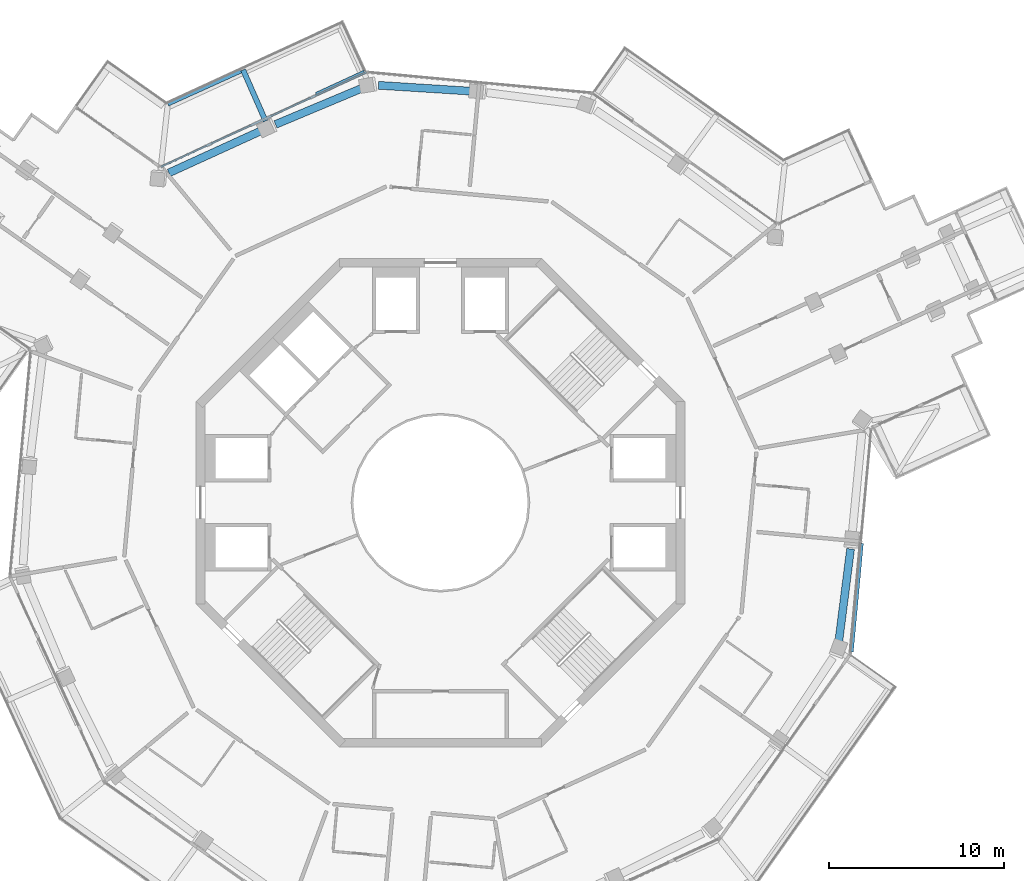
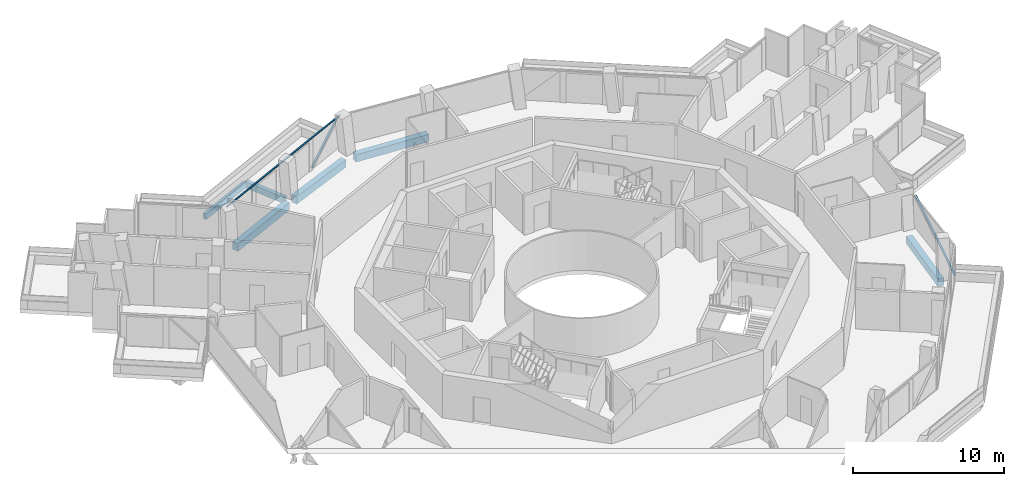
# One storey, part 7 of 23: 6 beams, 3 members, 2 elements without a shape of their own.
"""IFC4 building model written with IfcOpenShell, lengths in metres."""

from ifc_helpers import new_model, si_unit, direction, frame, origin, origin_2d, place, context, subcontext, project, spatial, rectangle, extrude, material, layer, layer_set, material_profile, profile_set, type_object, element, aggregate, save


model = new_model("IFC4")

# Units and contexts
model_context = context("Model", 3, precision=1e-05, world=origin(), true_north=direction((0.0, 1.0)))
body_context = subcontext(model_context, "Body", "Model", "MODEL_VIEW")
ifc_project = project(units=[si_unit("LENGTHUNIT", "METRE"), si_unit("AREAUNIT", "SQUARE_METRE"), si_unit("VOLUMEUNIT", "CUBIC_METRE"), si_unit("PLANEANGLEUNIT", "RADIAN"), si_unit("MASSUNIT", "GRAM", prefix="KILO")], contexts=[model_context])

# Site, building, storey
site_placement = place(None, origin())
site = spatial("IfcSite", under=ifc_project, at=site_placement, CompositionType="ELEMENT")
building_placement = place(site_placement, origin())
building = spatial("IfcBuilding", under=site, at=building_placement, Name="Verdalira Terraces Hotel", CompositionType="ELEMENT")
storey_placement = place(building_placement, frame((0.0, 0.0, 256.0)))
storey = spatial("IfcBuildingStorey", under=building, at=storey_placement, Name="L63", CompositionType="ELEMENT", Elevation=256.0)

# Beams
ifc_material_1 = material(Name="Concrete C40", Category="concrete")
ifc_material_profile_1 = material_profile(ifc_material_1, rectangle(XDim=0.300049, YDim=0.5, at=origin_2d()), Name="RC 300X500")
ifc_profile_set_1 = profile_set([ifc_material_profile_1], Name="Concrete C40")
beam_type_1 = type_object("IfcBeamType", Name="Balcony cantilever beam RC 300X500 C40", PredefinedType="BEAM", material=ifc_profile_set_1)
beam_1_placement = place(storey_placement, frame((-10.022705, 21.87085, -0.560059), z_axis=(-0.402894536, 0.915246411, 0.0), x_axis=(-0.915246411, -0.402894536, 0.0)))
element("IfcBeam", 1, at=beam_1_placement, inside=storey, type_object=beam_type_1, Name="Balcony cantilever beam R41-2", PredefinedType="BEAM", context=body_context, shape_type="SweptSolid", body=[
    extrude(rectangle(XDim=0.300049, YDim=0.5, at=origin_2d()), origin(), (0.0, 0.0, 1.0), 3.200684),
])
ifc_material_2 = material(Name="Concrete C40", Category="concrete")
ifc_material_profile_2 = material_profile(ifc_material_2, rectangle(XDim=0.25, YDim=0.449951, at=origin_2d()), Name="RC 250X450")
ifc_profile_set_2 = profile_set([ifc_material_profile_2], Name="Concrete C40")
beam_type_2 = type_object("IfcBeamType", Name="Balcony edge beam RC 250X450 C40", PredefinedType="BEAM", material=ifc_profile_set_2)
beam_2_placement = place(storey_placement, frame((-11.448975, 24.738525, -0.534912), z_axis=(-0.910843551, -0.412751771, 0.0), x_axis=(0.412751771, -0.910843551, 0.0)))
element("IfcBeam", 2, at=beam_2_placement, inside=storey, type_object=beam_type_2, Name="Balcony edge beam R41-2", PredefinedType="BEAM", context=body_context, shape_type="SweptSolid", body=[
    extrude(rectangle(XDim=0.25, YDim=0.449951, at=origin_2d()), origin(), (0.0, 0.0, 1.0), 4.585938),
])

# Curtain wall, member
ifc_material_3 = material(Name="Clear glass", Category="glass")
ifc_layer = layer(ifc_material_3, 0.14990234375)
ifc_layer_set = layer_set([ifc_layer], Name="CW1 curtain wall")
curtain_wall_type = type_object("IfcCurtainWallType", Name="CW1 curtain wall", PredefinedType="NOTDEFINED", material=ifc_layer_set)
curtain_wall_1_placement = place(storey_placement, origin())
curtain_wall_1 = element("IfcCurtainWall", 3, at=curtain_wall_1_placement, inside=storey, type_object=curtain_wall_type, Name="CW1 curtain wall L63 edge 41", PredefinedType="NOTDEFINED")
ifc_material_4 = material(Name="Terracotta frame", Category="masonry")
ifc_material_profile_3 = material_profile(ifc_material_4, rectangle(XDim=0.110107, YDim=0.064941, at=origin_2d()), Name="TR 65x110")
ifc_profile_set_3 = profile_set([ifc_material_profile_3], Name="Terracotta frame")
member_type_1 = type_object("IfcMemberType", Name="CW1 transom 65x110", PredefinedType="USERDEFINED", material=ifc_profile_set_3)
member_1_placement = place(storey_placement, frame((-4.245361, 24.668701, 2.557617), z_axis=(-0.908356515, -0.418196654, 0.0), x_axis=(0.418196654, -0.908356515, 0.0)))
member_1 = element("IfcMember", 4, at=member_1_placement, type_object=member_type_1, Name="CW1 transom", ObjectType="TRANSOM", PredefinedType="USERDEFINED", context=body_context, shape_type="SweptSolid", body=[
    extrude(rectangle(XDim=0.110107, YDim=0.064941, at=origin_2d()), origin(), (0.0, 0.0, 1.0), 12.959717),
])

curtain_wall_2_placement = place(storey_placement, origin())
curtain_wall_2 = element("IfcCurtainWall", 5, at=curtain_wall_2_placement, inside=storey, type_object=curtain_wall_type, Name="CW1 curtain wall L63 edge 27", PredefinedType="NOTDEFINED")
ifc_material_5 = material(Name="Terracotta frame", Category="masonry")
ifc_material_profile_4 = material_profile(ifc_material_5, rectangle(XDim=0.149902, YDim=0.060059, at=origin_2d()), Name="GB 60x150")
ifc_profile_set_4 = profile_set([ifc_material_profile_4], Name="Terracotta frame")
member_type_2 = type_object("IfcMemberType", Name="Diagonal glazing bar 60x150", PredefinedType="USERDEFINED", material=ifc_profile_set_4)
member_2_placement = place(storey_placement, frame((23.587158, -8.534424, 0.028564), z_axis=(0.08552831, 0.925681717, 0.368508164), x_axis=(-0.995758723, 0.092003071, 0.0)))
member_2 = element("IfcMember", 6, at=member_2_placement, type_object=member_type_2, Name="Diagonal glazing bar", ObjectType="GLAZING BAR", PredefinedType="USERDEFINED", context=body_context, shape_type="SweptSolid", body=[
    extrude(rectangle(XDim=0.149902, YDim=0.060059, at=origin_2d()), origin(), (0.0, 0.0, 1.0), 6.696777),
])
aggregate(curtain_wall_2, [member_2])

# Member
member_3_placement = place(storey_placement, frame((-4.364258, 24.71167, 2.500488), z_axis=(-0.704264042, -0.32420184, -0.631589523), x_axis=(0.41816149, -0.908372703, 0.0)))
member_3 = element("IfcMember", 7, at=member_3_placement, type_object=member_type_2, Name="Diagonal glazing bar", ObjectType="GLAZING BAR", PredefinedType="USERDEFINED", context=body_context, shape_type="SweptSolid", body=[
    extrude(rectangle(XDim=0.149902, YDim=0.060059, at=origin_2d()), origin(), (0.0, 0.0, 1.0), 3.92041),
])

aggregate(curtain_wall_1, [member_1, member_3])

# Beams
ifc_material_6 = material(Name="Concrete C40", Category="concrete")
ifc_material_profile_5 = material_profile(ifc_material_6, rectangle(XDim=0.449951, YDim=0.600098, at=origin_2d()), Name="RC 450X600")
ifc_profile_set_5 = profile_set([ifc_material_profile_5], Name="Concrete C40")
beam_type_3 = type_object("IfcBeamType", Name="Spandrel beam RC 450X600 C40", PredefinedType="SPANDREL", material=ifc_profile_set_5)
beam_3_placement = place(storey_placement, frame((22.81665, -8.003174, -0.610107), z_axis=(0.126528656, 0.991962952, 0.0), x_axis=(-0.991962952, 0.126528656, 0.0)))
element("IfcBeam", 8, at=beam_3_placement, inside=storey, type_object=beam_type_3, Name="Spandrel beam B15", PredefinedType="SPANDREL", context=body_context, shape_type="SweptSolid", body=[
    extrude(rectangle(XDim=0.449951, YDim=0.600098, at=origin_2d()), origin(), (0.0, 0.0, 1.0), 5.396973),
])
beam_4_placement = place(storey_placement, frame((1.828857, 23.577393, -0.610107), z_axis=(-0.997999211, 0.06322638, 0.0), x_axis=(-0.06322638, -0.997999211, 0.0)))
element("IfcBeam", 9, at=beam_4_placement, inside=storey, type_object=beam_type_3, Name="Spandrel beam B21", PredefinedType="SPANDREL", context=body_context, shape_type="SweptSolid", body=[
    extrude(rectangle(XDim=0.449951, YDim=0.600098, at=origin_2d()), origin(), (0.0, 0.0, 1.0), 5.394287),
])
beam_5_placement = place(storey_placement, frame((-4.477295, 23.76123, -0.610107), z_axis=(-0.922343156, -0.386371715, 0.0), x_axis=(0.386371715, -0.922343156, 0.0)))
element("IfcBeam", 10, at=beam_5_placement, inside=storey, type_object=beam_type_3, Name="Spandrel beam B22", PredefinedType="SPANDREL", context=body_context, shape_type="SweptSolid", body=[
    extrude(rectangle(XDim=0.449951, YDim=0.600098, at=origin_2d()), origin(), (0.0, 0.0, 1.0), 5.396973),
])
beam_6_placement = place(storey_placement, frame((-10.199463, 21.350098, -0.610107), z_axis=(-0.909578743, -0.4155316, 0.0), x_axis=(0.4155316, -0.909578743, 0.0)))
element("IfcBeam", 11, at=beam_6_placement, inside=storey, type_object=beam_type_3, Name="Spandrel beam B23", PredefinedType="SPANDREL", context=body_context, shape_type="SweptSolid", body=[
    extrude(rectangle(XDim=0.449951, YDim=0.600098, at=origin_2d()), origin(), (0.0, 0.0, 1.0), 5.892334),
])

save(model, "model.ifc")
